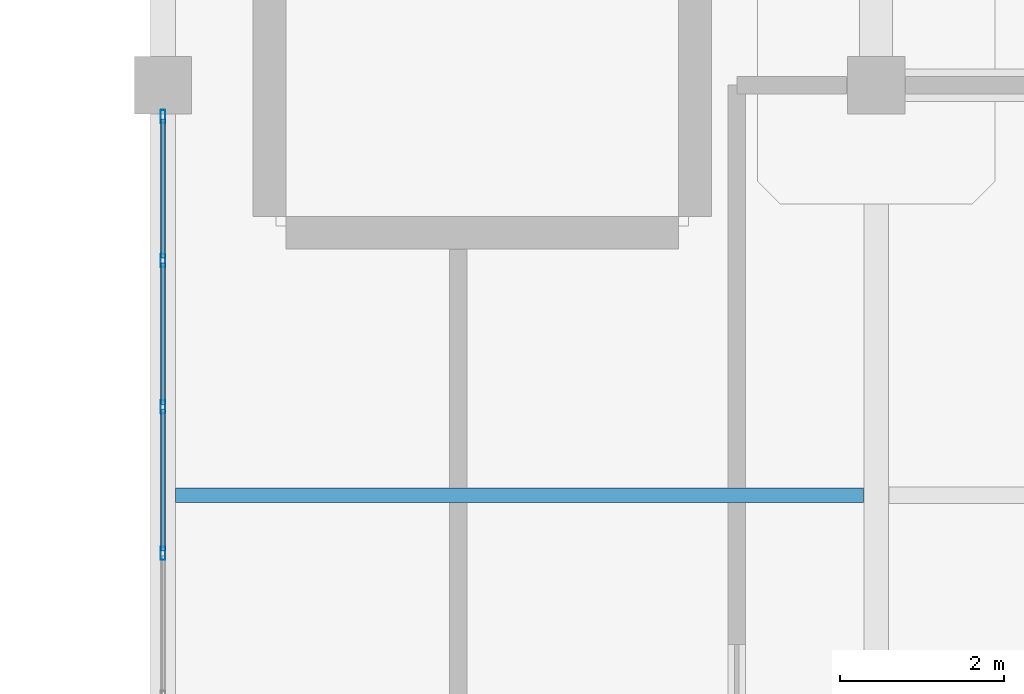
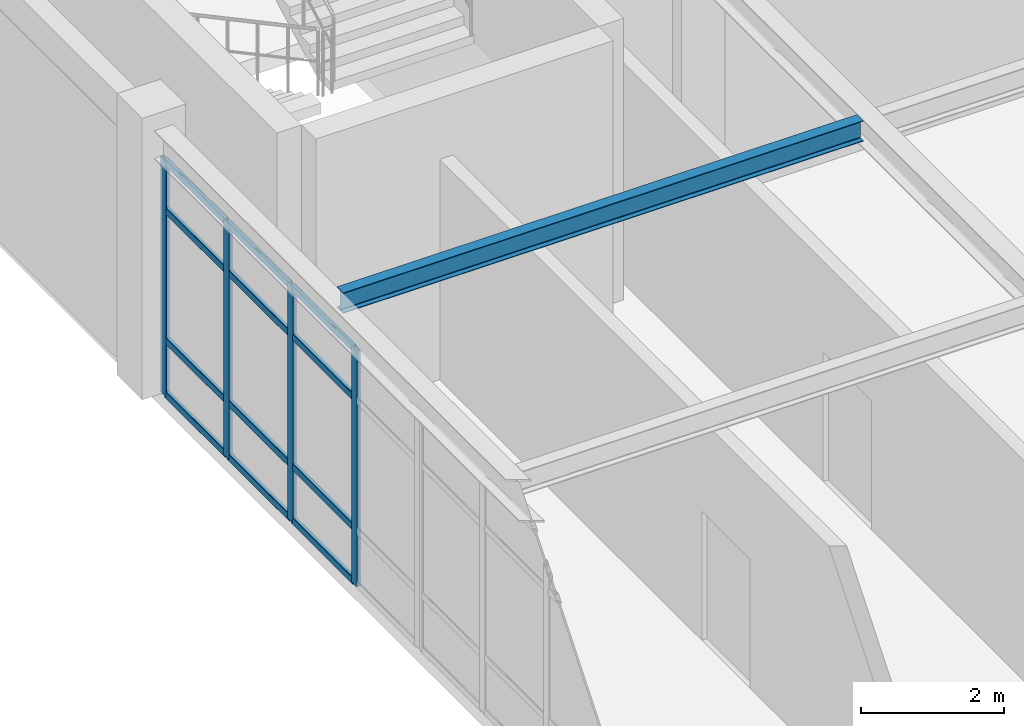
# One storey, part 19 of 76: 16 members, 1 beam, 1 element without a shape of its own.
"""IFC4 building model written with IfcOpenShell, lengths in metres."""

from ifc_helpers import new_model, si_unit, derived_unit, direction, frame, origin, origin_2d, place, context, subcontext, project, spatial, hollow_rectangle, i_section, extrude, material, layer, layer_set, material_profile, profile_set, type_object, element, aggregate, save


model = new_model("IFC4")

# Units and contexts
model_context = context("Model", 3, precision=1e-05, world=origin(), true_north=direction((0.0, 1.0)))
body_context = subcontext(model_context, "Body", "Model", "MODEL_VIEW")
ifc_project = project(units=[si_unit("LENGTHUNIT", "METRE"), si_unit("AREAUNIT", "SQUARE_METRE"), si_unit("VOLUMEUNIT", "CUBIC_METRE"), si_unit("PLANEANGLEUNIT", "RADIAN"), si_unit("MASSUNIT", "GRAM", prefix="KILO"), derived_unit("THERMALTRANSMITTANCEUNIT", [(si_unit("MASSUNIT", "GRAM", prefix="KILO"), 1), (si_unit("TIMEUNIT", "SECOND"), -3), (si_unit("THERMODYNAMICTEMPERATUREUNIT", "KELVIN"), -1)])], contexts=[model_context])

# Site, building, storey
site_placement = place(None, origin())
site = spatial("IfcSite", under=ifc_project, at=site_placement, CompositionType="ELEMENT")
building_placement = place(site_placement, origin())
building = spatial("IfcBuilding", under=site, at=building_placement, Name="Qinzheling Arcade Emporium", CompositionType="ELEMENT")
storey_placement = place(building_placement, frame((0.0, 0.0, 26.699951171875)))
storey = spatial("IfcBuildingStorey", under=building, at=storey_placement, Name="L06", CompositionType="ELEMENT", Elevation=26.699951171875)

# Beam
ifc_material_1 = material(Name="Structural steel Q355B", Category="steel")
ifc_material_profile_1 = material_profile(ifc_material_1, i_section(OverallWidth=0.175048828125, OverallDepth=0.35009765625, WebThickness=0.007080078125, FlangeThickness=0.010986328125, FilletRadius=0.013916015625, at=origin_2d()), Name="HN 350x175x7x11", Category="steel")
ifc_profile_set_1 = profile_set([ifc_material_profile_1], Name="Structural steel Q355B")
beam_type = type_object("IfcBeamType", Name="Canopy Secondary Joist HN350 Q355B", PredefinedType="JOIST", material=ifc_profile_set_1)
beam_placement = place(storey_placement, frame((34.955078125, 60.39990234375, 4.344970703125), z_axis=(1.0, 0.0, 0.0), x_axis=(0.0, 1.0, 0.0)))
element("IfcBeam", 1, at=beam_placement, inside=storey, type_object=beam_type, Name="Secondary Joist JST-L06-5-2", PredefinedType="JOIST", context=body_context, shape_type="SweptSolid", body=[
    extrude(i_section(OverallWidth=0.175048828125, OverallDepth=0.35009765625, WebThickness=0.007080078125, FlangeThickness=0.010986328125, FilletRadius=0.013916015625, at=origin_2d()), origin(), (0.0, 0.0, 1.0), 8.389892578125),
])

# Curtain wall, members
ifc_material_2 = material(Name="Anodised aluminium and solar-control double glazing", Category="aluminium")
ifc_layer = layer(ifc_material_2, 0.159912109375, Name="Anodised aluminium and solar-control double glazing", Category="aluminium")
ifc_layer_set = layer_set([ifc_layer], Name="Anodised aluminium and solar-control double glazing")
curtain_wall_type = type_object("IfcCurtainWallType", Name="Atrium Clerestory Curtain Wall", PredefinedType="NOTDEFINED", material=ifc_layer_set)
curtain_wall_placement = place(storey_placement, origin())
curtain_wall = element("IfcCurtainWall", 2, at=curtain_wall_placement, inside=storey, type_object=curtain_wall_type, Name="Curtain Wall CW-L06-365", PredefinedType="NOTDEFINED")
ifc_material_3 = material(Name="Anodised aluminium 6063-T6", Category="aluminium")
ifc_material_profile_2 = material_profile(ifc_material_3, hollow_rectangle(XDim=0.06005859375, YDim=0.159912109375, WallThickness=0.00390625, InnerFilletRadius=0.00390625, OuterFilletRadius=0.008056640625, at=origin_2d()), Name="RHS 160x60x4", Category="aluminium")
ifc_profile_set_2 = profile_set([ifc_material_profile_2], Name="Anodised aluminium 6063-T6")
member_type_1 = type_object("IfcMemberType", Name="Curtain Wall Mullion RHS160x60", PredefinedType="MULLION", material=ifc_profile_set_2)
member_1_placement = place(storey_placement, frame((34.800048828125, 59.6884765625, 0.0), z_axis=(0.0, 0.0, 1.0), x_axis=(-1.0, 0.0, 0.0)))
member_1 = element("IfcMember", 3, at=member_1_placement, type_object=member_type_1, Name="CW03 mullion 2", PredefinedType="MULLION", context=body_context, shape_type="SweptSolid", body=[
    extrude(hollow_rectangle(XDim=0.06005859375, YDim=0.159912109375, WallThickness=0.00390625, InnerFilletRadius=0.00390625, OuterFilletRadius=0.008056640625, at=origin_2d()), origin(), (0.0, 0.0, 1.0), 4.01708984375),
])
member_2_placement = place(storey_placement, frame((34.800048828125, 61.47509765625, 0.0), z_axis=(0.0, 0.0, 1.0), x_axis=(-1.0, 0.0, 0.0)))
member_2 = element("IfcMember", 4, at=member_2_placement, type_object=member_type_1, Name="CW03 mullion 3", PredefinedType="MULLION", context=body_context, shape_type="SweptSolid", body=[
    extrude(hollow_rectangle(XDim=0.06005859375, YDim=0.159912109375, WallThickness=0.00390625, InnerFilletRadius=0.00390625, OuterFilletRadius=0.008056640625, at=origin_2d()), origin(), (0.0, 0.0, 1.0), 4.01708984375),
])
member_3_placement = place(storey_placement, frame((34.800048828125, 63.261474609375, 0.0), z_axis=(0.0, 0.0, 1.0), x_axis=(-1.0, 0.0, 0.0)))
member_3 = element("IfcMember", 5, at=member_3_placement, type_object=member_type_1, Name="CW03 mullion 4", PredefinedType="MULLION", context=body_context, shape_type="SweptSolid", body=[
    extrude(hollow_rectangle(XDim=0.06005859375, YDim=0.159912109375, WallThickness=0.00390625, InnerFilletRadius=0.00390625, OuterFilletRadius=0.008056640625, at=origin_2d()), origin(), (0.0, 0.0, 1.0), 4.01708984375),
])
member_4_placement = place(storey_placement, frame((34.800048828125, 65.01806640625, 0.0), z_axis=(0.0, 0.0, 1.0), x_axis=(-1.0, 0.0, 0.0)))
member_4 = element("IfcMember", 6, at=member_4_placement, type_object=member_type_1, Name="CW03 mullion 5", PredefinedType="MULLION", context=body_context, shape_type="SweptSolid", body=[
    extrude(hollow_rectangle(XDim=0.06005859375, YDim=0.159912109375, WallThickness=0.00390625, InnerFilletRadius=0.00390625, OuterFilletRadius=0.008056640625, at=origin_2d()), origin(), (0.0, 0.0, 1.0), 4.01708984375),
])
ifc_material_profile_3 = material_profile(ifc_material_3, hollow_rectangle(XDim=0.06005859375, YDim=0.1201171875, WallThickness=0.00390625, InnerFilletRadius=0.00390625, OuterFilletRadius=0.008056640625, at=origin_2d()), Name="RHS 120x60x4", Category="aluminium")
ifc_profile_set_3 = profile_set([ifc_material_profile_3], Name="Anodised aluminium 6063-T6")
member_type_2 = type_object("IfcMemberType", Name="Curtain Wall Transom RHS120x60", PredefinedType="USERDEFINED", material=ifc_profile_set_3)
member_5_placement = place(storey_placement, frame((34.800048828125, 59.718505859375, 0.030029296875), z_axis=(0.0, 1.0, 0.0), x_axis=(-1.0, 0.0, 0.0)))
member_5 = element("IfcMember", 7, at=member_5_placement, type_object=member_type_2, Name="CW03 transom 2.1", ObjectType="TRANSOM", PredefinedType="USERDEFINED", context=body_context, shape_type="SweptSolid", body=[
    extrude(hollow_rectangle(XDim=0.06005859375, YDim=0.1201171875, WallThickness=0.00390625, InnerFilletRadius=0.00390625, OuterFilletRadius=0.008056640625, at=origin_2d()), origin(), (0.0, 0.0, 1.0), 1.7265625),
])
member_6_placement = place(storey_placement, frame((34.800048828125, 59.718505859375, 0.949951171875), z_axis=(0.0, 1.0, 0.0), x_axis=(-1.0, 0.0, 0.0)))
member_6 = element("IfcMember", 8, at=member_6_placement, type_object=member_type_2, Name="CW03 transom 2.2", ObjectType="TRANSOM", PredefinedType="USERDEFINED", context=body_context, shape_type="SweptSolid", body=[
    extrude(hollow_rectangle(XDim=0.06005859375, YDim=0.1201171875, WallThickness=0.00390625, InnerFilletRadius=0.00390625, OuterFilletRadius=0.008056640625, at=origin_2d()), origin(), (0.0, 0.0, 1.0), 1.7265625),
])
member_7_placement = place(storey_placement, frame((34.800048828125, 59.718505859375, 3.1669921875), z_axis=(0.0, 1.0, 0.0), x_axis=(-1.0, 0.0, 0.0)))
member_7 = element("IfcMember", 9, at=member_7_placement, type_object=member_type_2, Name="CW03 transom 2.3", ObjectType="TRANSOM", PredefinedType="USERDEFINED", context=body_context, shape_type="SweptSolid", body=[
    extrude(hollow_rectangle(XDim=0.06005859375, YDim=0.1201171875, WallThickness=0.00390625, InnerFilletRadius=0.00390625, OuterFilletRadius=0.008056640625, at=origin_2d()), origin(), (0.0, 0.0, 1.0), 1.7265625),
])
member_8_placement = place(storey_placement, frame((34.800048828125, 59.718505859375, 3.987060546875), z_axis=(0.0, 1.0, 0.0), x_axis=(-1.0, 0.0, 0.0)))
member_8 = element("IfcMember", 10, at=member_8_placement, type_object=member_type_2, Name="CW03 transom 2.4", ObjectType="TRANSOM", PredefinedType="USERDEFINED", context=body_context, shape_type="SweptSolid", body=[
    extrude(hollow_rectangle(XDim=0.06005859375, YDim=0.1201171875, WallThickness=0.00390625, InnerFilletRadius=0.00390625, OuterFilletRadius=0.008056640625, at=origin_2d()), origin(), (0.0, 0.0, 1.0), 1.7265625),
])
member_9_placement = place(storey_placement, frame((34.800048828125, 61.5048828125, 0.030029296875), z_axis=(0.0, 1.0, 0.0), x_axis=(-1.0, 0.0, 0.0)))
member_9 = element("IfcMember", 11, at=member_9_placement, type_object=member_type_2, Name="CW03 transom 3.1", ObjectType="TRANSOM", PredefinedType="USERDEFINED", context=body_context, shape_type="SweptSolid", body=[
    extrude(hollow_rectangle(XDim=0.06005859375, YDim=0.1201171875, WallThickness=0.00390625, InnerFilletRadius=0.00390625, OuterFilletRadius=0.008056640625, at=origin_2d()), origin(), (0.0, 0.0, 1.0), 1.7265625),
])
member_10_placement = place(storey_placement, frame((34.800048828125, 61.5048828125, 0.949951171875), z_axis=(0.0, 1.0, 0.0), x_axis=(-1.0, 0.0, 0.0)))
member_10 = element("IfcMember", 12, at=member_10_placement, type_object=member_type_2, Name="CW03 transom 3.2", ObjectType="TRANSOM", PredefinedType="USERDEFINED", context=body_context, shape_type="SweptSolid", body=[
    extrude(hollow_rectangle(XDim=0.06005859375, YDim=0.1201171875, WallThickness=0.00390625, InnerFilletRadius=0.00390625, OuterFilletRadius=0.008056640625, at=origin_2d()), origin(), (0.0, 0.0, 1.0), 1.7265625),
])
member_11_placement = place(storey_placement, frame((34.800048828125, 61.5048828125, 3.1669921875), z_axis=(0.0, 1.0, 0.0), x_axis=(-1.0, 0.0, 0.0)))
member_11 = element("IfcMember", 13, at=member_11_placement, type_object=member_type_2, Name="CW03 transom 3.3", ObjectType="TRANSOM", PredefinedType="USERDEFINED", context=body_context, shape_type="SweptSolid", body=[
    extrude(hollow_rectangle(XDim=0.06005859375, YDim=0.1201171875, WallThickness=0.00390625, InnerFilletRadius=0.00390625, OuterFilletRadius=0.008056640625, at=origin_2d()), origin(), (0.0, 0.0, 1.0), 1.7265625),
])
member_12_placement = place(storey_placement, frame((34.800048828125, 61.5048828125, 3.987060546875), z_axis=(0.0, 1.0, 0.0), x_axis=(-1.0, 0.0, 0.0)))
member_12 = element("IfcMember", 14, at=member_12_placement, type_object=member_type_2, Name="CW03 transom 3.4", ObjectType="TRANSOM", PredefinedType="USERDEFINED", context=body_context, shape_type="SweptSolid", body=[
    extrude(hollow_rectangle(XDim=0.06005859375, YDim=0.1201171875, WallThickness=0.00390625, InnerFilletRadius=0.00390625, OuterFilletRadius=0.008056640625, at=origin_2d()), origin(), (0.0, 0.0, 1.0), 1.7265625),
])
member_13_placement = place(storey_placement, frame((34.800048828125, 63.29150390625, 0.030029296875), z_axis=(0.0, 1.0, 0.0), x_axis=(-1.0, 0.0, 0.0)))
member_13 = element("IfcMember", 15, at=member_13_placement, type_object=member_type_2, Name="CW03 transom 4.1", ObjectType="TRANSOM", PredefinedType="USERDEFINED", context=body_context, shape_type="SweptSolid", body=[
    extrude(hollow_rectangle(XDim=0.06005859375, YDim=0.1201171875, WallThickness=0.00390625, InnerFilletRadius=0.00390625, OuterFilletRadius=0.008056640625, at=origin_2d()), origin(), (0.0, 0.0, 1.0), 1.696533203125),
])
member_14_placement = place(storey_placement, frame((34.800048828125, 63.29150390625, 0.949951171875), z_axis=(0.0, 1.0, 0.0), x_axis=(-1.0, 0.0, 0.0)))
member_14 = element("IfcMember", 16, at=member_14_placement, type_object=member_type_2, Name="CW03 transom 4.2", ObjectType="TRANSOM", PredefinedType="USERDEFINED", context=body_context, shape_type="SweptSolid", body=[
    extrude(hollow_rectangle(XDim=0.06005859375, YDim=0.1201171875, WallThickness=0.00390625, InnerFilletRadius=0.00390625, OuterFilletRadius=0.008056640625, at=origin_2d()), origin(), (0.0, 0.0, 1.0), 1.696533203125),
])
member_15_placement = place(storey_placement, frame((34.800048828125, 63.29150390625, 3.1669921875), z_axis=(0.0, 1.0, 0.0), x_axis=(-1.0, 0.0, 0.0)))
member_15 = element("IfcMember", 17, at=member_15_placement, type_object=member_type_2, Name="CW03 transom 4.3", ObjectType="TRANSOM", PredefinedType="USERDEFINED", context=body_context, shape_type="SweptSolid", body=[
    extrude(hollow_rectangle(XDim=0.06005859375, YDim=0.1201171875, WallThickness=0.00390625, InnerFilletRadius=0.00390625, OuterFilletRadius=0.008056640625, at=origin_2d()), origin(), (0.0, 0.0, 1.0), 1.696533203125),
])
member_16_placement = place(storey_placement, frame((34.800048828125, 63.29150390625, 3.987060546875), z_axis=(0.0, 1.0, 0.0), x_axis=(-1.0, 0.0, 0.0)))
member_16 = element("IfcMember", 18, at=member_16_placement, type_object=member_type_2, Name="CW03 transom 4.4", ObjectType="TRANSOM", PredefinedType="USERDEFINED", context=body_context, shape_type="SweptSolid", body=[
    extrude(hollow_rectangle(XDim=0.06005859375, YDim=0.1201171875, WallThickness=0.00390625, InnerFilletRadius=0.00390625, OuterFilletRadius=0.008056640625, at=origin_2d()), origin(), (0.0, 0.0, 1.0), 1.696533203125),
])
aggregate(curtain_wall, [member_1, member_2, member_3, member_4, member_5, member_6, member_7, member_8, member_9, member_10, member_11, member_12, member_13, member_14, member_15, member_16])

save(model, "model.ifc")
